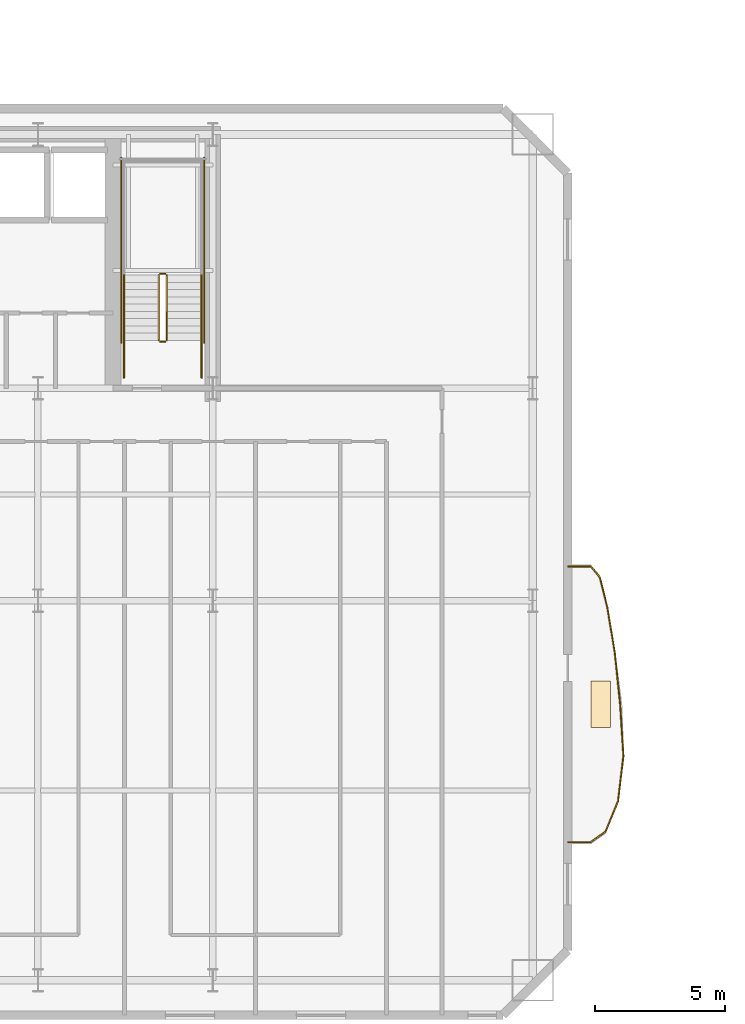
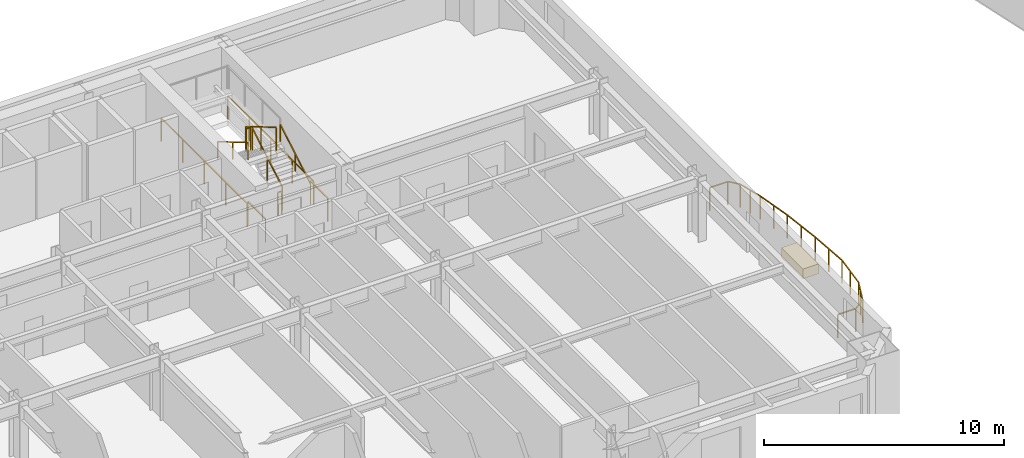
# One storey, part 13 of 17: 20 railings, 1 covering.
"""IFC4 building model written with IfcOpenShell, lengths in metres."""

from ifc_helpers import new_model, si_unit, direction, frame, origin, origin_2d, place, context, subcontext, project, spatial, rectangle, extrude, material, layer, layer_set, type_object, element, save


model = new_model("IFC4")

# Units and contexts
model_context = context("Model", 3, precision=1e-05, world=origin(), true_north=direction((0.0, 1.0)))
body_context = subcontext(model_context, "Body", "Model", "MODEL_VIEW")
ifc_project = project(units=[si_unit("LENGTHUNIT", "METRE"), si_unit("AREAUNIT", "SQUARE_METRE"), si_unit("VOLUMEUNIT", "CUBIC_METRE"), si_unit("PLANEANGLEUNIT", "RADIAN"), si_unit("MASSUNIT", "GRAM", prefix="KILO")], contexts=[model_context])

# Site, building, storey
site_placement = place(None, origin())
site = spatial("IfcSite", under=ifc_project, at=site_placement, CompositionType="ELEMENT")
building_placement = place(site_placement, origin())
building = spatial("IfcBuilding", under=site, at=building_placement, Name="Haevon Station Towers", CompositionType="ELEMENT")
storey_placement = place(building_placement, frame((0.0, 0.0, 37.199951171875)))
storey = spatial("IfcBuildingStorey", under=building, at=storey_placement, Name="L08", CompositionType="ELEMENT", Elevation=37.199951171875)

# Railings
ifc_material_1 = material(Name="Steel S355", Category="steel")
railing_type_1 = type_object("IfcRailingType", Name="GRD-EXT1200", PredefinedType="GUARDRAIL", material=ifc_material_1)
railing_1_placement = place(storey_placement, frame((64.723388671875, 20.677734375, 0.0)))
element("IfcRailing", 1, at=railing_1_placement, inside=storey, type_object=railing_type_1, Name="L08 Perimeter Guardrail 1", PredefinedType="GUARDRAIL", context=body_context, shape_type="SweptSolid", body=[
    extrude(rectangle(XDim=0.048095703125, YDim=0.048095703125, at=origin_2d()), frame((0.0, 0.0, 1.17578125), z_axis=(0.999997476494, 0.002246554286, 0.0), x_axis=(-0.002246554286, 0.999997476494, 0.0)), (0.0, 0.0, 1.0), 0.869384765625),
    extrude(rectangle(XDim=0.0419921875, YDim=0.0419921875, at=origin_2d()), origin(), (0.0, 0.0, 1.0), 1.15185546875),
    extrude(rectangle(XDim=0.0419921875, YDim=0.0419921875, at=origin_2d()), frame((0.869384765625, 0.001953125, 0.0)), (0.0, 0.0, 1.0), 1.15185546875),
])
railing_2_placement = place(storey_placement, frame((65.5927734375, 20.6796875, 0.0)))
element("IfcRailing", 2, at=railing_2_placement, inside=storey, type_object=railing_type_1, Name="L08 Perimeter Guardrail 2", PredefinedType="GUARDRAIL", context=body_context, shape_type="SweptSolid", body=[
    extrude(rectangle(XDim=0.048095703125, YDim=0.048095703125, at=origin_2d()), frame((0.0, 0.0, 1.17578125), z_axis=(0.812092296848, 0.583529006477, 0.0), x_axis=(-0.583529006477, 0.812092296848, 0.0)), (0.0, 0.0, 1.0), 0.705078125),
    extrude(rectangle(XDim=0.0419921875, YDim=0.0419921875, at=origin_2d()), origin(), (0.0, 0.0, 1.0), 1.15185546875),
    extrude(rectangle(XDim=0.0419921875, YDim=0.0419921875, at=origin_2d()), frame((0.572509765625, 0.411376953125, 0.0)), (0.0, 0.0, 1.0), 1.15185546875),
])
railing_3_placement = place(storey_placement, frame((66.165283203125, 21.091064453125, 0.0)))
element("IfcRailing", 3, at=railing_3_placement, inside=storey, type_object=railing_type_1, Name="L08 Perimeter Guardrail 3", PredefinedType="GUARDRAIL", context=body_context, shape_type="SweptSolid", body=[
    extrude(rectangle(XDim=0.048095703125, YDim=0.048095703125, at=origin_2d()), frame((0.0, 0.0, 1.17578125), z_axis=(0.379535160999, 0.925177313581, 0.0), x_axis=(-0.925177313581, 0.379535160999, 0.0)), (0.0, 0.0, 1.0), 1.263916015625),
    extrude(rectangle(XDim=0.0419921875, YDim=0.0419921875, at=origin_2d()), origin(), (0.0, 0.0, 1.0), 1.15185546875),
    extrude(rectangle(XDim=0.0419921875, YDim=0.0419921875, at=origin_2d()), frame((0.23974609375, 0.584716796875, 0.0)), (0.0, 0.0, 1.0), 1.15185546875),
    extrude(rectangle(XDim=0.0419921875, YDim=0.0419921875, at=origin_2d()), frame((0.479736328125, 1.16943359375, 0.0)), (0.0, 0.0, 1.0), 1.15185546875),
])
railing_4_placement = place(storey_placement, frame((66.64501953125, 22.260498046875, 0.0)))
element("IfcRailing", 4, at=railing_4_placement, inside=storey, type_object=railing_type_1, Name="L08 Perimeter Guardrail 4", PredefinedType="GUARDRAIL", context=body_context, shape_type="SweptSolid", body=[
    extrude(rectangle(XDim=0.048095703125, YDim=0.048095703125, at=origin_2d()), frame((0.0, 0.0, 1.17578125), z_axis=(0.117590336191, 0.993062189812, 0.0), x_axis=(-0.993062189812, 0.117590336191, 0.0)), (0.0, 0.0, 1.0), 1.758544921875),
    extrude(rectangle(XDim=0.0419921875, YDim=0.0419921875, at=origin_2d()), origin(), (0.0, 0.0, 1.0), 1.15185546875),
    extrude(rectangle(XDim=0.0419921875, YDim=0.0419921875, at=origin_2d()), frame((0.103515625, 0.873046875, 0.0)), (0.0, 0.0, 1.0), 1.15185546875),
    extrude(rectangle(XDim=0.0419921875, YDim=0.0419921875, at=origin_2d()), frame((0.206787109375, 1.746337890625, 0.0)), (0.0, 0.0, 1.0), 1.15185546875),
])
railing_5_placement = place(storey_placement, frame((66.851806640625, 24.0068359375, 0.0)))
element("IfcRailing", 5, at=railing_5_placement, inside=storey, type_object=railing_type_1, Name="L08 Perimeter Guardrail 5", PredefinedType="GUARDRAIL", context=body_context, shape_type="SweptSolid", body=[
    extrude(rectangle(XDim=0.048095703125, YDim=0.048095703125, at=origin_2d()), frame((0.0, 0.0, 1.17578125), z_axis=(-0.063443708023, 0.997985418687, 0.0), x_axis=(-0.997985418687, -0.063443708023, 0.0)), (0.0, 0.0, 1.0), 1.9970703125),
    extrude(rectangle(XDim=0.0419921875, YDim=0.0419921875, at=origin_2d()), origin(), (0.0, 0.0, 1.0), 1.15185546875),
    extrude(rectangle(XDim=0.0419921875, YDim=0.0419921875, at=origin_2d()), frame((-0.0634765625, 0.99658203125, 0.0)), (0.0, 0.0, 1.0), 1.15185546875),
    extrude(rectangle(XDim=0.0419921875, YDim=0.0419921875, at=origin_2d()), frame((-0.126708984375, 1.9931640625, 0.0)), (0.0, 0.0, 1.0), 1.15185546875),
])
railing_6_placement = place(storey_placement, frame((66.72509765625, 26.0, 0.0)))
element("IfcRailing", 6, at=railing_6_placement, inside=storey, type_object=railing_type_1, Name="L08 Perimeter Guardrail 6", PredefinedType="GUARDRAIL", context=body_context, shape_type="SweptSolid", body=[
    extrude(rectangle(XDim=0.048095703125, YDim=0.048095703125, at=origin_2d()), frame((0.0, 0.0, 1.17578125), z_axis=(-0.102549270738, 0.994727926154, 0.0), x_axis=(-0.994727926154, -0.102549270738, 0.0)), (0.0, 0.0, 1.0), 1.999755859375),
    extrude(rectangle(XDim=0.0419921875, YDim=0.0419921875, at=origin_2d()), origin(), (0.0, 0.0, 1.0), 1.15185546875),
    extrude(rectangle(XDim=0.0419921875, YDim=0.0419921875, at=origin_2d()), frame((-0.1025390625, 0.99462890625, 0.0)), (0.0, 0.0, 1.0), 1.15185546875),
    extrude(rectangle(XDim=0.0419921875, YDim=0.0419921875, at=origin_2d()), frame((-0.205078125, 1.9892578125, 0.0)), (0.0, 0.0, 1.0), 1.15185546875),
])
railing_7_placement = place(storey_placement, frame((66.52001953125, 27.9892578125, 0.0)))
element("IfcRailing", 7, at=railing_7_placement, inside=storey, type_object=railing_type_1, Name="L08 Perimeter Guardrail 7", PredefinedType="GUARDRAIL", context=body_context, shape_type="SweptSolid", body=[
    extrude(rectangle(XDim=0.048095703125, YDim=0.048095703125, at=origin_2d()), frame((0.0, 0.0, 1.17578125), z_axis=(-0.162366406363, 0.986730535701, 0.0), x_axis=(-0.986730535701, -0.162366406363, 0.0)), (0.0, 0.0, 1.0), 1.772705078125),
    extrude(rectangle(XDim=0.0419921875, YDim=0.0419921875, at=origin_2d()), origin(), (0.0, 0.0, 1.0), 1.15185546875),
    extrude(rectangle(XDim=0.0419921875, YDim=0.0419921875, at=origin_2d()), frame((-0.14404296875, 0.87451171875, 0.0)), (0.0, 0.0, 1.0), 1.15185546875),
    extrude(rectangle(XDim=0.0419921875, YDim=0.0419921875, at=origin_2d()), frame((-0.287841796875, 1.749267578125, 0.0)), (0.0, 0.0, 1.0), 1.15185546875),
])
railing_8_placement = place(storey_placement, frame((66.232177734375, 29.738525390625, 0.0)))
element("IfcRailing", 8, at=railing_8_placement, inside=storey, type_object=railing_type_1, Name="L08 Perimeter Guardrail 8", PredefinedType="GUARDRAIL", context=body_context, shape_type="SweptSolid", body=[
    extrude(rectangle(XDim=0.048095703125, YDim=0.048095703125, at=origin_2d()), frame((0.0, 0.0, 1.17578125), z_axis=(-0.243202070488, 0.969975645524, 0.0), x_axis=(-0.969975645524, -0.243202070488, 0.0)), (0.0, 0.0, 1.0), 1.20654296875),
    extrude(rectangle(XDim=0.0419921875, YDim=0.0419921875, at=origin_2d()), origin(), (0.0, 0.0, 1.0), 1.15185546875),
    extrude(rectangle(XDim=0.0419921875, YDim=0.0419921875, at=origin_2d()), frame((-0.146728515625, 0.585205078125, 0.0)), (0.0, 0.0, 1.0), 1.15185546875),
    extrude(rectangle(XDim=0.0419921875, YDim=0.0419921875, at=origin_2d()), frame((-0.29345703125, 1.17041015625, 0.0)), (0.0, 0.0, 1.0), 1.15185546875),
])
railing_9_placement = place(storey_placement, frame((65.938720703125, 30.908935546875, 0.0)))
element("IfcRailing", 9, at=railing_9_placement, inside=storey, type_object=railing_type_1, Name="L08 Perimeter Guardrail 9", PredefinedType="GUARDRAIL", context=body_context, shape_type="SweptSolid", body=[
    extrude(rectangle(XDim=0.048095703125, YDim=0.048095703125, at=origin_2d()), frame((0.0, 0.0, 1.17578125), z_axis=(-0.643618076679, 0.765346830772, 0.0), x_axis=(-0.765346830772, -0.643618076679, 0.0)), (0.0, 0.0, 1.0), 0.53759765625),
    extrude(rectangle(XDim=0.0419921875, YDim=0.0419921875, at=origin_2d()), origin(), (0.0, 0.0, 1.0), 1.15185546875),
    extrude(rectangle(XDim=0.0419921875, YDim=0.0419921875, at=origin_2d()), frame((-0.345947265625, 0.411376953125, 0.0)), (0.0, 0.0, 1.0), 1.15185546875),
])
railing_10_placement = place(storey_placement, frame((65.5927734375, 31.3203125, 0.0)))
element("IfcRailing", 10, at=railing_10_placement, inside=storey, type_object=railing_type_1, Name="L08 Perimeter Guardrail 10", PredefinedType="GUARDRAIL", context=body_context, shape_type="SweptSolid", body=[
    extrude(rectangle(XDim=0.048095703125, YDim=0.048095703125, at=origin_2d()), frame((0.0, 0.0, 1.17578125), z_axis=(-0.999997476494, 0.002246554286, 0.0), x_axis=(-0.002246554286, -0.999997476494, 0.0)), (0.0, 0.0, 1.0), 0.869384765625),
    extrude(rectangle(XDim=0.0419921875, YDim=0.0419921875, at=origin_2d()), origin(), (0.0, 0.0, 1.0), 1.15185546875),
    extrude(rectangle(XDim=0.0419921875, YDim=0.0419921875, at=origin_2d()), frame((-0.869384765625, 0.001953125, 0.0)), (0.0, 0.0, 1.0), 1.15185546875),
])
railing_type_2 = type_object("IfcRailingType", Name="GRD-STR1200", PredefinedType="GUARDRAIL", material=ifc_material_1)
railing_11_placement = place(storey_placement, frame((49.219970703125, 40.050048828125, 0.1650390625)))
element("IfcRailing", 11, at=railing_11_placement, inside=storey, type_object=railing_type_2, Name="L08 ST2 Stair Guard 1", PredefinedType="GUARDRAIL", context=body_context, shape_type="SweptSolid", body=[
    extrude(rectangle(XDim=0.048095703125, YDim=0.048095703125, at=origin_2d()), frame((0.0, 0.0, 1.17578125), z_axis=(0.0, 0.86152411907, 0.507716645641), x_axis=(-1.0, 0.0, 0.0)), (0.0, 0.0, 1.0), 2.925048828125),
    extrude(rectangle(XDim=0.0419921875, YDim=0.0419921875, at=origin_2d()), origin(), (0.0, 0.0, 1.0), 1.15185546875),
    extrude(rectangle(XDim=0.0419921875, YDim=0.0419921875, at=origin_2d()), frame((0.0, 1.260009765625, 0.74267578125)), (0.0, 0.0, 1.0), 1.15185546875),
    extrude(rectangle(XDim=0.0419921875, YDim=0.0419921875, at=origin_2d()), frame((0.0, 2.52001953125, 1.485107421875)), (0.0, 0.0, 1.0), 1.15185546875),
])
railing_12_placement = place(storey_placement, frame((49.169921875, 42.6201171875, 1.650146484375)))
element("IfcRailing", 12, at=railing_12_placement, inside=storey, type_object=railing_type_2, Name="L08 ST2 Stair Guard 2", PredefinedType="GUARDRAIL", context=body_context, shape_type="SweptSolid", body=[
    extrude(rectangle(XDim=0.048095703125, YDim=0.048095703125, at=origin_2d()), frame((0.0, 0.0, 1.17578125), z_axis=(-1.0, 0.0, 0.0), x_axis=(0.0, -1.0, 0.0)), (0.0, 0.0, 1.0), 0.199951171875),
    extrude(rectangle(XDim=0.0419921875, YDim=0.0419921875, at=origin_2d()), origin(), (0.0, 0.0, 1.0), 1.15185546875),
    extrude(rectangle(XDim=0.0419921875, YDim=0.0419921875, at=origin_2d()), frame((-0.199951171875, 0.0, 0.0)), (0.0, 0.0, 1.0), 1.15185546875),
])
railing_13_placement = place(storey_placement, frame((48.919921875, 42.570068359375, 1.81494140625)))
element("IfcRailing", 13, at=railing_13_placement, inside=storey, type_object=railing_type_2, Name="L08 ST2 Stair Guard 6", PredefinedType="GUARDRAIL", context=body_context, shape_type="SweptSolid", body=[
    extrude(rectangle(XDim=0.048095703125, YDim=0.048095703125, at=origin_2d()), frame((0.0, 0.0, 1.17578125), z_axis=(0.0, -0.86152411907, 0.507716645641), x_axis=(1.0, 0.0, 0.0)), (0.0, 0.0, 1.0), 2.925048828125),
    extrude(rectangle(XDim=0.0419921875, YDim=0.0419921875, at=origin_2d()), origin(), (0.0, 0.0, 1.0), 1.15185546875),
    extrude(rectangle(XDim=0.0419921875, YDim=0.0419921875, at=origin_2d()), frame((0.0, -1.260009765625, 0.74267578125)), (0.0, 0.0, 1.0), 1.15185546875),
    extrude(rectangle(XDim=0.0419921875, YDim=0.0419921875, at=origin_2d()), frame((0.0, -2.52001953125, 1.485107421875)), (0.0, 0.0, 1.0), 1.15185546875),
])
railing_14_placement = place(storey_placement, frame((49.169921875, 40.0, 0.0)))
element("IfcRailing", 14, at=railing_14_placement, inside=storey, type_object=railing_type_2, Name="L08 ST2 Stair Guard 7", PredefinedType="GUARDRAIL", context=body_context, shape_type="SweptSolid", body=[
    extrude(rectangle(XDim=0.048095703125, YDim=0.048095703125, at=origin_2d()), frame((0.0, 0.0, 1.17578125), z_axis=(-1.0, 0.0, 0.0), x_axis=(0.0, -1.0, 0.0)), (0.0, 0.0, 1.0), 0.199951171875),
    extrude(rectangle(XDim=0.0419921875, YDim=0.0419921875, at=origin_2d()), origin(), (0.0, 0.0, 1.0), 1.15185546875),
    extrude(rectangle(XDim=0.0419921875, YDim=0.0419921875, at=origin_2d()), frame((-0.199951171875, 0.0, 0.0)), (0.0, 0.0, 1.0), 1.15185546875),
])
for number, where, name in (
    (15, (50.570068359375, 38.60009765625, 0.0), "L08 ST2 Stair Guard 8"),
    (16, (47.570068359375, 38.60009765625, 0.0), "L08 ST2 Stair Guard 9"),
):
    element("IfcRailing", number, at=place(storey_placement, frame(where)), inside=storey, type_object=railing_type_2, Name=name, PredefinedType="GUARDRAIL", context=body_context, shape_type="SweptSolid", body=[
        extrude(rectangle(XDim=0.048095703125, YDim=0.048095703125, at=origin_2d()), frame((0.0, 0.0, 1.17578125), z_axis=(0.0, 1.0, 0.0), x_axis=(-1.0, 0.0, 0.0)), (0.0, 0.0, 1.0), 1.449951171875),
        extrude(rectangle(XDim=0.0419921875, YDim=0.0419921875, at=origin_2d()), origin(), (0.0, 0.0, 1.0), 1.15185546875),
        extrude(rectangle(XDim=0.0419921875, YDim=0.0419921875, at=origin_2d()), frame((0.0, 1.449951171875, 0.0)), (0.0, 0.0, 1.0), 1.15185546875),
    ])
for number, where, name in (
    (17, (50.669921875, 39.949951171875, 0.0), "L08 ST2 Stair Guard 10"),
    (18, (47.469970703125, 39.949951171875, 0.0), "L08 ST2 Stair Guard 11"),
):
    element("IfcRailing", number, at=place(storey_placement, frame(where)), inside=storey, type_object=railing_type_2, Name=name, PredefinedType="GUARDRAIL", context=body_context, shape_type="SweptSolid", body=[
        extrude(rectangle(XDim=0.048095703125, YDim=0.048095703125, at=origin_2d()), frame((0.0, 0.0, 1.17578125), z_axis=(0.0, 1.0, 0.0), x_axis=(-1.0, 0.0, 0.0)), (0.0, 0.0, 1.0), 7.150146484375),
        extrude(rectangle(XDim=0.0419921875, YDim=0.0419921875, at=origin_2d()), origin(), (0.0, 0.0, 1.0), 1.15185546875),
        extrude(rectangle(XDim=0.0419921875, YDim=0.0419921875, at=origin_2d()), frame((0.0, 1.78759765625, 0.0)), (0.0, 0.0, 1.0), 1.15185546875),
        extrude(rectangle(XDim=0.0419921875, YDim=0.0419921875, at=origin_2d()), frame((0.0, 3.5751953125, 0.0)), (0.0, 0.0, 1.0), 1.15185546875),
        extrude(rectangle(XDim=0.0419921875, YDim=0.0419921875, at=origin_2d()), frame((0.0, 5.362548828125, 0.0)), (0.0, 0.0, 1.0), 1.15185546875),
        extrude(rectangle(XDim=0.0419921875, YDim=0.0419921875, at=origin_2d()), frame((0.0, 7.150146484375, 0.0)), (0.0, 0.0, 1.0), 1.15185546875),
    ])
railing_type_3 = type_object("IfcRailingType", Name="HND-STR900", PredefinedType="HANDRAIL", material=ifc_material_1)
railing_15_placement = place(storey_placement, frame((50.570068359375, 40.050048828125, 0.1650390625)))
element("IfcRailing", 19, at=railing_15_placement, inside=storey, type_object=railing_type_3, Name="L08 ST2 Stair Handrail 1", PredefinedType="HANDRAIL", context=body_context, shape_type="SweptSolid", body=[
    extrude(rectangle(XDim=0.048095703125, YDim=0.048095703125, at=origin_2d()), frame((0.0, 0.0, 0.8759765625), z_axis=(0.0, 0.86152411907, 0.507716645641), x_axis=(-1.0, 0.0, 0.0)), (0.0, 0.0, 1.0), 2.925048828125),
    extrude(rectangle(XDim=0.0419921875, YDim=0.0419921875, at=origin_2d()), origin(), (0.0, 0.0, 1.0), 0.851806640625),
    extrude(rectangle(XDim=0.0419921875, YDim=0.0419921875, at=origin_2d()), frame((0.0, 1.260009765625, 0.74267578125)), (0.0, 0.0, 1.0), 0.851806640625),
    extrude(rectangle(XDim=0.0419921875, YDim=0.0419921875, at=origin_2d()), frame((0.0, 2.52001953125, 1.485107421875)), (0.0, 0.0, 1.0), 0.851806640625),
])
railing_16_placement = place(storey_placement, frame((47.570068359375, 42.570068359375, 1.81494140625)))
element("IfcRailing", 20, at=railing_16_placement, inside=storey, type_object=railing_type_3, Name="L08 ST2 Stair Handrail 2", PredefinedType="HANDRAIL", context=body_context, shape_type="SweptSolid", body=[
    extrude(rectangle(XDim=0.048095703125, YDim=0.048095703125, at=origin_2d()), frame((0.0, 0.0, 0.8759765625), z_axis=(0.0, -0.86152411907, 0.507716645641), x_axis=(1.0, 0.0, 0.0)), (0.0, 0.0, 1.0), 2.925048828125),
    extrude(rectangle(XDim=0.0419921875, YDim=0.0419921875, at=origin_2d()), origin(), (0.0, 0.0, 1.0), 0.851806640625),
    extrude(rectangle(XDim=0.0419921875, YDim=0.0419921875, at=origin_2d()), frame((0.0, -1.260009765625, 0.74267578125)), (0.0, 0.0, 1.0), 0.851806640625),
    extrude(rectangle(XDim=0.0419921875, YDim=0.0419921875, at=origin_2d()), frame((0.0, -2.52001953125, 1.485107421875)), (0.0, 0.0, 1.0), 0.851806640625),
])

# Covering
ifc_material_2 = material(Name="Architectural planter GRC", Category="concrete")
ifc_layer = layer(ifc_material_2, 0.550048828125)
ifc_layer_set = layer_set([ifc_layer], Name="Architectural planter GRC")
covering_type = type_object("IfcCoveringType", Name="PLN-GRC550", PredefinedType="MOLDING", material=ifc_layer_set)
covering_placement = place(storey_placement, frame((65.9833984375, 26.0, 0.0), z_axis=(0.0, 0.0, 1.0), x_axis=(1.0, 0.0, 0.0)))
element("IfcCovering", 21, at=covering_placement, inside=storey, type_object=covering_type, Name="Tower 1 L08 Scalloped Balcony PLANTER", PredefinedType="MOLDING", context=body_context, shape_type="SweptSolid", body=[
    extrude(rectangle(XDim=0.75, YDim=1.800048828125, at=origin_2d()), origin(), (0.0, 0.0, 1.0), 0.5),
])

save(model, "model.ifc")
